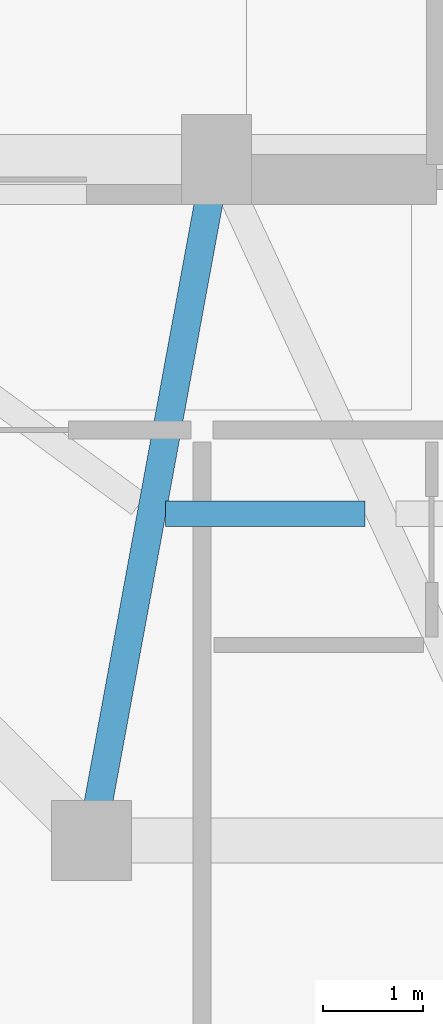
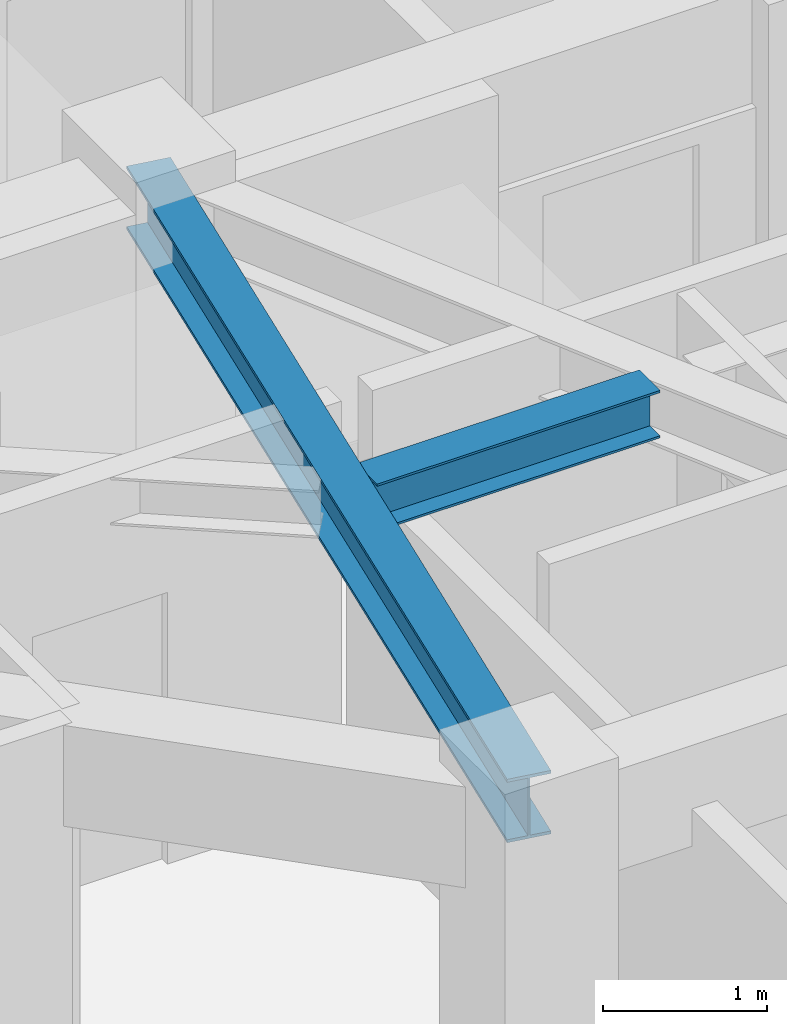
# One storey, part 5 of 29: 2 beams.
"""IFC4 building model written with IfcOpenShell, lengths in metres."""

from ifc_helpers import new_model, si_unit, direction, frame, origin, origin_2d, place, context, subcontext, project, spatial, i_section, extrude, material, material_profile, profile_set, type_object, element, save


model = new_model("IFC4")

# Units and contexts
model_context = context("Model", 3, precision=1e-05, world=origin(), true_north=direction((0.0, 1.0)))
body_context = subcontext(model_context, "Body", "Model", "MODEL_VIEW")
ifc_project = project(units=[si_unit("LENGTHUNIT", "METRE"), si_unit("AREAUNIT", "SQUARE_METRE"), si_unit("VOLUMEUNIT", "CUBIC_METRE"), si_unit("PLANEANGLEUNIT", "RADIAN"), si_unit("MASSUNIT", "GRAM", prefix="KILO")], contexts=[model_context])

# Site, building, storey
site_placement = place(None, origin())
site = spatial("IfcSite", under=ifc_project, at=site_placement, CompositionType="ELEMENT")
building_placement = place(site_placement, origin())
building = spatial("IfcBuilding", under=site, at=building_placement, Name="Veraguas Prism Commons", CompositionType="ELEMENT")
storey_placement = place(building_placement, frame((0.0, 0.0, 257.75)))
storey = spatial("IfcBuildingStorey", under=building, at=storey_placement, Name="L73", CompositionType="ELEMENT", Elevation=257.75)

# Beams
ifc_material = material(Name="Steel ASTM A992 Grade 50", Category="steel")
ifc_material_profile_1 = material_profile(ifc_material, i_section(OverallWidth=0.25390625, OverallDepth=0.35302734375, WebThickness=0.009521484375, FlangeThickness=0.016357421875, at=origin_2d()), Name="W360X91")
ifc_profile_set_1 = profile_set([ifc_material_profile_1], Name="Steel ASTM A992 Grade 50")
beam_type_1 = type_object("IfcBeamType", Name="Upper Floor Joist W360x91", PredefinedType="JOIST", material=ifc_profile_set_1)
beam_1_placement = place(storey_placement, frame((20.341796875, 13.464111328125, 2.83837890625), z_axis=(1.0, 0.0, 0.0), x_axis=(0.0, 1.0, 0.0)))
element("IfcBeam", 1, at=beam_1_placement, inside=storey, type_object=beam_type_1, Name="Composite Floor Joist L73-JS10", PredefinedType="JOIST", context=body_context, shape_type="SweptSolid", body=[
    extrude(i_section(OverallWidth=0.25390625, OverallDepth=0.35302734375, WebThickness=0.009521484375, FlangeThickness=0.016357421875, at=origin_2d()), origin(), (0.0, 0.0, 1.0), 1.992431640625),
])
ifc_material_profile_2 = material_profile(ifc_material, i_section(OverallWidth=0.282958984375, OverallDepth=0.471923828125, WebThickness=0.013671875, FlangeThickness=0.022216796875, at=origin_2d()), Name="W460X144")
ifc_profile_set_2 = profile_set([ifc_material_profile_2], Name="Steel ASTM A992 Grade 50")
beam_type_2 = type_object("IfcBeamType", Name="Zone 4 Radial Girder W460x144", PredefinedType="BEAM", material=ifc_profile_set_2)
beam_2_placement = place(storey_placement, frame((19.60009765625, 10.199951171875, 2.779052734375), z_axis=(0.180793033327, 0.983521163524, 0.0), x_axis=(-0.983521163524, 0.180793033327, 0.0)))
element("IfcBeam", 2, at=beam_2_placement, inside=storey, type_object=beam_type_2, Name="Radial Floor Girder L73-RD10", PredefinedType="BEAM", context=body_context, shape_type="SweptSolid", body=[
    extrude(i_section(OverallWidth=0.282958984375, OverallDepth=0.471923828125, WebThickness=0.013671875, FlangeThickness=0.022216796875, at=origin_2d()), origin(), (0.0, 0.0, 1.0), 6.9140625),
])

save(model, "model.ifc")
